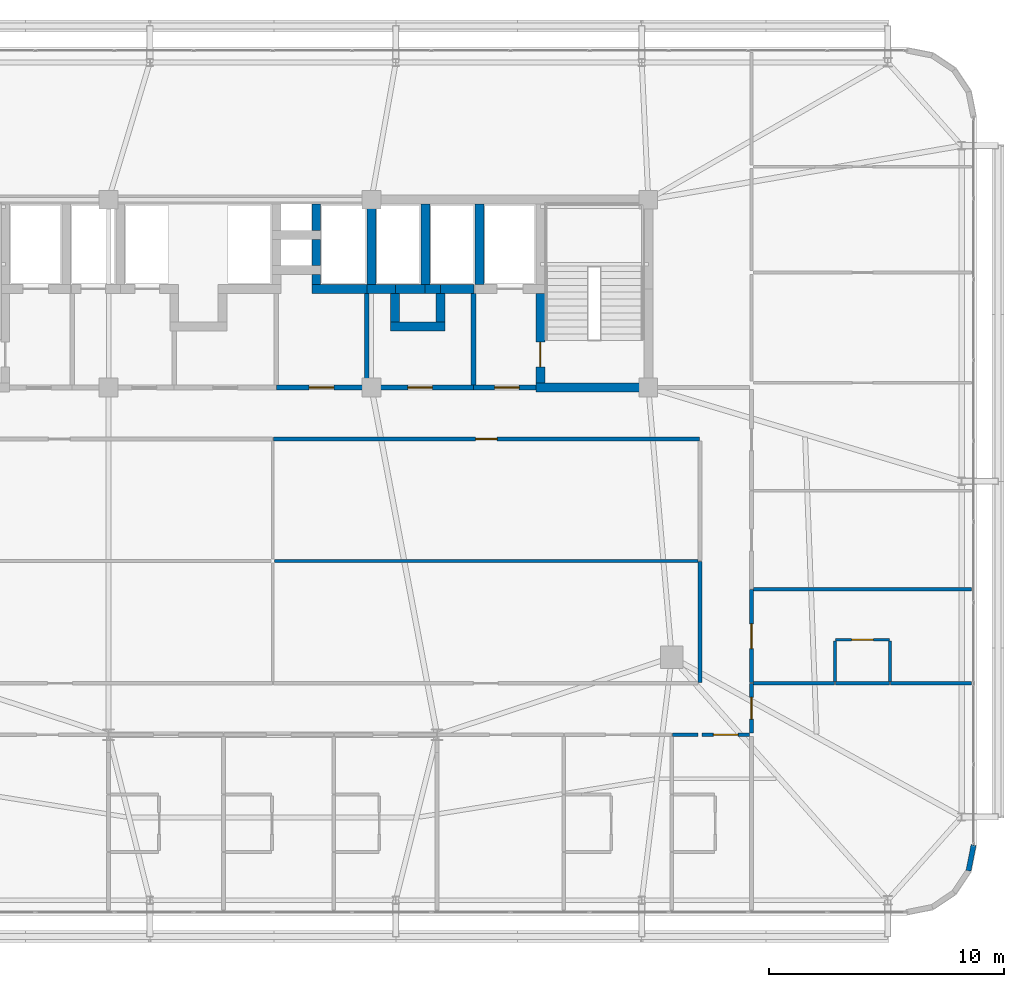
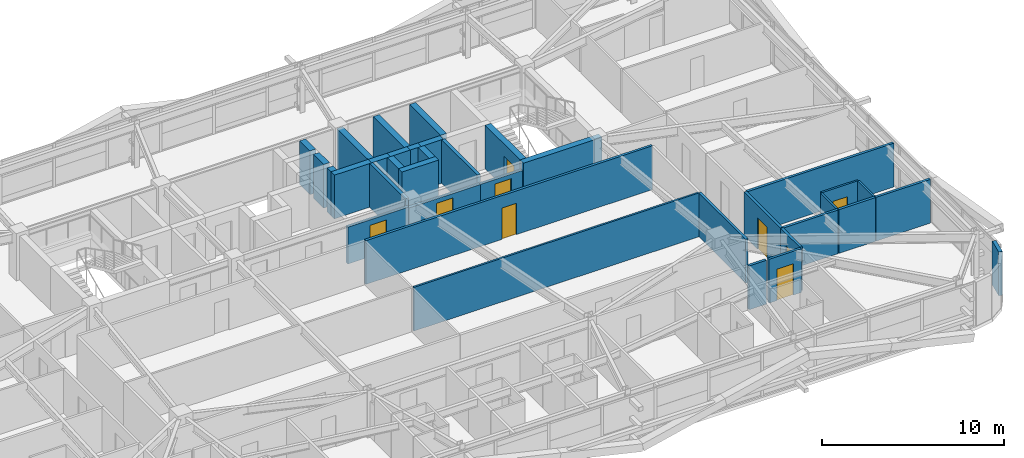
# One storey, part 55 of 59: 36 walls, 9 doors, 9 openings.
"""IFC4 building model written with IfcOpenShell, lengths in metres."""

from ifc_helpers import new_model, si_unit, direction, frame, frame_2d, origin, place, context, subcontext, project, spatial, rectangle, extrude, source, transform, mapped, material, layer, layer_set, type_object, element, fill, save


model = new_model("IFC4")

# Units and contexts
model_context = context("Model", 3, precision=1e-05, world=origin(), true_north=direction((0.0, 1.0)))
body_context = subcontext(model_context, "Body", "Model", "MODEL_VIEW")
ifc_project = project(units=[si_unit("LENGTHUNIT", "METRE"), si_unit("AREAUNIT", "SQUARE_METRE"), si_unit("VOLUMEUNIT", "CUBIC_METRE"), si_unit("PLANEANGLEUNIT", "RADIAN"), si_unit("MASSUNIT", "GRAM", prefix="KILO")], contexts=[model_context])

# Site, building, storey
site_placement = place(None, origin())
site = spatial("IfcSite", under=ifc_project, at=site_placement, CompositionType="ELEMENT")
building_placement = place(site_placement, origin())
building = spatial("IfcBuilding", under=site, at=building_placement, Name="Taldren Reach Tower", CompositionType="ELEMENT")
storey_placement = place(building_placement, frame((0.0, 0.0, 19.949951171875)))
storey = spatial("IfcBuildingStorey", under=building, at=storey_placement, Name="L05", CompositionType="ELEMENT", Elevation=19.949951171875)

# Walls
ifc_material_1 = material(Name="Pale Champagne Anodised Aluminium Cladding", Category="aluminium")
ifc_layer_1 = layer(ifc_material_1, 0.04, Name="Pale Champagne Anodised Aluminium Cladding", Category="aluminium")
ifc_material_2 = material(Name="Mineral Wool Acoustic Insulation", Category="insulation")
ifc_layer_2 = layer(ifc_material_2, 0.06, Name="Mineral Wool Acoustic Insulation", Category="insulation")
ifc_material_3 = material(Name="Steel Gr 350 (C350L0)", Category="steel")
ifc_layer_3 = layer(ifc_material_3, 0.12, Name="Steel Gr 350 (C350L0)", Category="steel")
ifc_layer_set_1 = layer_set([ifc_layer_1, ifc_layer_2, ifc_layer_3], Name="Pale Champagne Aluminium Cladding and Steel Gr 350 Stud Framing")
wall_type_1 = type_object("IfcWallType", Name="EW-CRN-220", PredefinedType="SOLIDWALL", material=ifc_layer_set_1)
shared_shape_1 = source(origin(), body_context, "Body", "SweptSolid", [
    extrude(rectangle(XDim=1.115966796875, YDim=0.219970703125, at=frame_2d((0.55810546875, 0.0))), origin(), (0.0, 0.0, 1.0), 2.929931640625),
])
wall_1_placement = place(storey_placement, frame((64.642333984375, 3.405517578125, 0.0), z_axis=(0.0, 0.0, 1.0), x_axis=(0.195148375659, 0.98077373103, 0.0)))
element("IfcWall", 1, at=wall_1_placement, inside=storey, type_object=wall_type_1, Name="Rounded-corner pale-metal facade wall L05-SE4", PredefinedType="SOLIDWALL", context=body_context, shape_type="MappedRepresentation", body=[
    mapped(shared_shape_1, transform((0.0, 0.0, 0.0), scale=1.0)),
])
ifc_material_4 = material(Name="Concrete S80 (80 MPa)", Category="concrete")
ifc_layer_4 = layer(ifc_material_4, 0.3798828125)
ifc_layer_set_2 = layer_set([ifc_layer_4], Name="Concrete S80 (80 MPa)")
wall_type_2 = type_object("IfcWallType", Name="IW-CORE-380", PredefinedType="SHEAR", material=ifc_layer_set_2)
shared_shape_2 = source(origin(), body_context, "Body", "SweptSolid", [
    extrude(rectangle(XDim=3.420166015625, YDim=0.3798828125, at=frame_2d((1.7099609375, 0.0))), origin(), (0.0, 0.0, 1.0), 2.929931640625),
])
for number, where, z_axis, x_axis, name in (
    (2, (43.800048828125, 31.81005859375, 0.0), (0.0, 0.0, 1.0), (0.0, -1.0, 0.0), "Rear Core Shear Wall W-INT-L05-012"),
    (3, (39.199951171875, 28.389892578125, 0.0), (0.0, 0.0, 1.0), (0.0, 1.0, 0.0), "Rear Core Shear Wall W-INT-L05-036"),
    (4, (41.5, 28.389892578125, 0.0), (0.0, 0.0, 1.0), (0.0, 1.0, 0.0), "Rear Core Shear Wall W-INT-L05-039"),
):
    element("IfcWall", number, at=place(storey_placement, frame(where, z_axis=z_axis, x_axis=x_axis)), inside=storey, type_object=wall_type_2, Name=name, PredefinedType="SHEAR", context=body_context, shape_type="MappedRepresentation", body=[
        mapped(shared_shape_2, transform((0.0, 0.0, 0.0), scale=1.0)),
    ])

# Wall, opening, door
shared_shape_3 = source(origin(), body_context, "Body", "SweptSolid", [
    extrude(rectangle(XDim=3.820068359375, YDim=0.3798828125, at=frame_2d((1.91015625, 0.0))), origin(), (0.0, 0.0, 1.0), 2.929931640625),
])
wall_2_placement = place(storey_placement, frame((46.39990234375, 28.010009765625, 0.0), z_axis=(0.0, 0.0, 1.0), x_axis=(0.0, -1.0, 0.0)))
wall_2 = element("IfcWall", 5, at=wall_2_placement, inside=storey, type_object=wall_type_2, Name="Rear Core Shear Wall W-INT-L05-009", PredefinedType="SHEAR", context=body_context, shape_type="MappedRepresentation", body=[
    mapped(shared_shape_3, transform((0.0, 0.0, 0.0), scale=1.0)),
])
shared_shape_4 = source(origin(), body_context, "Body", "SweptSolid", [
    extrude(rectangle(XDim=1.050048828125, YDim=2.10009765625, at=frame_2d((0.52490234375, 1.050048828125))), frame((0.0, 0.199951171875, 0.0), z_axis=(0.0, -1.0, 0.0), x_axis=(1.0, 0.0, 0.0)), (0.0, 0.0, 1.0), 0.39990234375),
])
opening_1_placement = place(wall_2_placement, frame((2.0849609375, 0.0, 0.0)))
opening_1 = element("IfcOpeningElement", 6, at=opening_1_placement, cuts=wall_2, Name="Opening DF-105", PredefinedType="OPENING", context=body_context, shape_type="MappedRepresentation", body=[
    mapped(shared_shape_4, transform((0.0, 0.0, 0.0), scale=1.0)),
])
ifc_material_5 = material(Name="Fire-Rated Care and Stair Exit Door")
door_type_1 = type_object("IfcDoorType", Name="ID-FIRE-105", OperationType="NOTDEFINED", PredefinedType="DOOR", material=ifc_material_5)
shared_shape_5 = source(origin(), body_context, "Body", "SweptSolid", [
    extrude(rectangle(XDim=1.050048828125, YDim=2.10009765625, at=frame_2d((0.52490234375, 1.050048828125))), frame((0.0, 0.02490234375, 0.0), z_axis=(0.0, -1.0, 0.0), x_axis=(1.0, 0.0, 0.0)), (0.0, 0.0, 1.0), 0.050048828125),
])
door_1_placement = place(opening_1_placement, origin())
door_1 = element("IfcDoor", 7, at=door_1_placement, inside=storey, type_object=door_type_1, Name="Fire Exit Stair Door DR-L05-003", OperationType="SINGLE_SWING_RIGHT", OverallHeight=2.10009765625, OverallWidth=1.050048828125, PredefinedType="DOOR", context=body_context, shape_type="MappedRepresentation", body=[
    mapped(shared_shape_5, transform((0.0, 0.0, 0.0), scale=1.0)),
])
fill(opening_1, door_1)

# Walls
shared_shape_6 = source(origin(), body_context, "Body", "SweptSolid", [
    extrude(rectangle(XDim=4.97998046875, YDim=0.3798828125, at=frame_2d((2.489990234375, 0.0))), origin(), (0.0, 0.0, 1.0), 2.929931640625),
])
wall_3_placement = place(storey_placement, frame((46.2099609375, 24.0, 0.0), z_axis=(0.0, 0.0, 1.0), x_axis=(1.0, 0.0, 0.0)))
element("IfcWall", 8, at=wall_3_placement, inside=storey, type_object=wall_type_2, Name="Rear Core Shear Wall W-INT-L05-010", PredefinedType="SHEAR", context=body_context, shape_type="MappedRepresentation", body=[
    mapped(shared_shape_6, transform((0.0, 0.0, 0.0), scale=1.0)),
])
ifc_material_6 = material(Name="Concrete S50 (50 MPa)", Category="concrete")
ifc_layer_5 = layer(ifc_material_6, 0.199951171875)
ifc_layer_set_3 = layer_set([ifc_layer_5], Name="Concrete S50 (50 MPa)")
wall_type_3 = type_object("IfcWallType", Name="IW-CORE-200", PredefinedType="SOLIDWALL", material=ifc_layer_set_3)
shared_shape_7 = source(origin(), body_context, "Body", "SweptSolid", [
    extrude(rectangle(XDim=3.909912109375, YDim=0.199951171875, at=frame_2d((1.955078125, 0.0))), origin(), (0.0, 0.0, 1.0), 2.929931640625),
])
for number, where, z_axis, x_axis, name in (
    (9, (43.550048828125, 28.010009765625, 0.0), (0.0, 0.0, 1.0), (0.0, -1.0, 0.0), "Rear Core Shear Wall W-INT-L05-013"),
    (10, (39.0, 28.010009765625, 0.0), (0.0, 0.0, 1.0), (0.0, -1.0, 0.0), "Rear Core Shear Wall W-INT-L05-044"),
):
    element("IfcWall", number, at=place(storey_placement, frame(where, z_axis=z_axis, x_axis=x_axis)), inside=storey, type_object=wall_type_3, Name=name, PredefinedType="SOLIDWALL", context=body_context, shape_type="MappedRepresentation", body=[
        mapped(shared_shape_7, transform((0.0, 0.0, 0.0), scale=1.0)),
    ])

# Wall, opening, door
shared_shape_8 = source(origin(), body_context, "Body", "SweptSolid", [
    extrude(rectangle(XDim=2.659912109375, YDim=0.199951171875, at=frame_2d((1.330078125, 0.0))), origin(), (0.0, 0.0, 1.0), 2.39697265625),
])
wall_4_placement = place(storey_placement, frame((43.550048828125, 24.0, 0.0), z_axis=(0.0, 0.0, 1.0), x_axis=(1.0, 0.0, 0.0)))
wall_4 = element("IfcWall", 11, at=wall_4_placement, inside=storey, type_object=wall_type_3, Name="Rear Core Shear Wall W-INT-L05-014", PredefinedType="SOLIDWALL", context=body_context, shape_type="MappedRepresentation", body=[
    mapped(shared_shape_8, transform((0.0, 0.0, 0.0), scale=1.0)),
])
shared_shape_9 = source(origin(), body_context, "Body", "SweptSolid", [
    extrude(rectangle(XDim=1.050048828125, YDim=2.10009765625, at=frame_2d((0.52490234375, 1.050048828125))), frame((0.0, 0.10986328125, 0.0), z_axis=(0.0, -1.0, 0.0), x_axis=(1.0, 0.0, 0.0)), (0.0, 0.0, 1.0), 0.219970703125),
])
opening_2_placement = place(wall_4_placement, frame((0.89990234375, 0.0, 0.0)))
opening_2 = element("IfcOpeningElement", 12, at=opening_2_placement, cuts=wall_4, Name="Opening DF-105", PredefinedType="OPENING", context=body_context, shape_type="MappedRepresentation", body=[
    mapped(shared_shape_9, transform((0.0, 0.0, 0.0), scale=1.0)),
])
door_2_placement = place(opening_2_placement, origin())
door_2 = element("IfcDoor", 13, at=door_2_placement, inside=storey, type_object=door_type_1, Name="Interior Door DR-L05-004", OperationType="SINGLE_SWING_LEFT", OverallHeight=2.10009765625, OverallWidth=1.050048828125, PredefinedType="DOOR", context=body_context, shape_type="MappedRepresentation", body=[
    mapped(shared_shape_5, transform((0.0, 0.0, 0.0), scale=1.0)),
])
fill(opening_2, door_2)

# Walls
shared_shape_10 = source(origin(), body_context, "Body", "SweptSolid", [
    extrude(rectangle(XDim=1.1201171875, YDim=0.3798828125, at=frame_2d((0.56005859375, 0.0))), origin(), (0.0, 0.0, 1.0), 2.929931640625),
])
for number, where, z_axis, x_axis, name in (
    (14, (36.85009765625, 30.68994140625, 0.0), (0.0, 0.0, 1.0), (0.0, 1.0, 0.0), "Rear Core Shear Wall W-INT-L05-017"),
    (15, (36.85009765625, 29.18994140625, 0.0), (0.0, 0.0, 1.0), (0.0, 1.0, 0.0), "Rear Core Shear Wall W-INT-L05-019"),
):
    element("IfcWall", number, at=place(storey_placement, frame(where, z_axis=z_axis, x_axis=x_axis)), inside=storey, type_object=wall_type_2, Name=name, PredefinedType="SHEAR", context=body_context, shape_type="MappedRepresentation", body=[
        mapped(shared_shape_10, transform((0.0, 0.0, 0.0), scale=1.0)),
    ])
shared_shape_11 = source(origin(), body_context, "Body", "SweptSolid", [
    extrude(rectangle(XDim=1.219970703125, YDim=0.3798828125, at=frame_2d((0.60986328125, 0.0))), origin(), (0.0, 0.0, 1.0), 2.929931640625),
])
for number, where, z_axis, x_axis, name in (
    (16, (40.199951171875, 28.010009765625, 0.0), (0.0, 0.0, 1.0), (0.0, -1.0, 0.0), "Rear Core Shear Wall W-INT-L05-027"),
    (17, (42.14990234375, 26.7900390625, 0.0), (0.0, 0.0, 1.0), (0.0, 1.0, 0.0), "Rear Core Shear Wall W-INT-L05-028"),
):
    element("IfcWall", number, at=place(storey_placement, frame(where, z_axis=z_axis, x_axis=x_axis)), inside=storey, type_object=wall_type_2, Name=name, PredefinedType="SHEAR", context=body_context, shape_type="MappedRepresentation", body=[
        mapped(shared_shape_11, transform((0.0, 0.0, 0.0), scale=1.0)),
    ])
shared_shape_12 = source(origin(), body_context, "Body", "SweptSolid", [
    extrude(rectangle(XDim=1.320068359375, YDim=0.3798828125, at=frame_2d((0.66015625, 0.0))), origin(), (0.0, 0.0, 1.0), 2.929931640625),
])
wall_5_placement = place(storey_placement, frame((41.52001953125, 28.199951171875, 0.0), z_axis=(0.0, 0.0, 1.0), x_axis=(-1.0, 0.0, 0.0)))
element("IfcWall", 18, at=wall_5_placement, inside=storey, type_object=wall_type_2, Name="Rear Core Shear Wall W-INT-L05-024", PredefinedType="SHEAR", context=body_context, shape_type="MappedRepresentation", body=[
    mapped(shared_shape_12, transform((0.0, 0.0, 0.0), scale=1.0)),
])
shared_shape_13 = source(origin(), body_context, "Body", "SweptSolid", [
    extrude(rectangle(XDim=0.669921875, YDim=0.3798828125, at=frame_2d((0.3349609375, 0.0))), origin(), (0.0, 0.0, 1.0), 2.929931640625),
])
wall_6_placement = place(storey_placement, frame((42.14990234375, 28.199951171875, 0.0), z_axis=(0.0, 0.0, 1.0), x_axis=(-1.0, 0.0, 0.0)))
element("IfcWall", 19, at=wall_6_placement, inside=storey, type_object=wall_type_2, Name="Rear Core Shear Wall W-INT-L05-025", PredefinedType="SHEAR", context=body_context, shape_type="MappedRepresentation", body=[
    mapped(shared_shape_13, transform((0.0, 0.0, 0.0), scale=1.0)),
])
shared_shape_14 = source(origin(), body_context, "Body", "SweptSolid", [
    extrude(rectangle(XDim=2.330078125, YDim=0.3798828125, at=frame_2d((1.1650390625, 0.0))), origin(), (0.0, 0.0, 1.0), 2.929931640625),
])
wall_7_placement = place(storey_placement, frame((40.010009765625, 26.60009765625, 0.0), z_axis=(0.0, 0.0, 1.0), x_axis=(1.0, 0.0, 0.0)))
element("IfcWall", 20, at=wall_7_placement, inside=storey, type_object=wall_type_2, Name="Rear Core Shear Wall W-INT-L05-026", PredefinedType="SHEAR", context=body_context, shape_type="MappedRepresentation", body=[
    mapped(shared_shape_14, transform((0.0, 0.0, 0.0), scale=1.0)),
])
shared_shape_15 = source(origin(), body_context, "Body", "SweptSolid", [
    extrude(rectangle(XDim=0.420166015625, YDim=0.3798828125, at=frame_2d((0.2099609375, 0.0))), origin(), (0.0, 0.0, 1.0), 2.929931640625),
])
wall_8_placement = place(storey_placement, frame((36.85009765625, 28.81005859375, 0.0), z_axis=(0.0, 0.0, 1.0), x_axis=(0.0, -1.0, 0.0)))
element("IfcWall", 21, at=wall_8_placement, inside=storey, type_object=wall_type_2, Name="Rear Core Shear Wall W-INT-L05-038", PredefinedType="SHEAR", context=body_context, shape_type="MappedRepresentation", body=[
    mapped(shared_shape_15, transform((0.0, 0.0, 0.0), scale=1.0)),
])
shared_shape_16 = source(origin(), body_context, "Body", "SweptSolid", [
    extrude(rectangle(XDim=1.440185546875, YDim=0.3798828125, at=frame_2d((0.72021484375, 0.0))), origin(), (0.0, 0.0, 1.0), 2.929931640625),
])
wall_9_placement = place(storey_placement, frame((42.1298828125, 28.199951171875, 0.0), z_axis=(0.0, 0.0, 1.0), x_axis=(1.0, 0.0, 0.0)))
element("IfcWall", 22, at=wall_9_placement, inside=storey, type_object=wall_type_2, Name="Rear Core Shear Wall W-INT-L05-041", PredefinedType="SHEAR", context=body_context, shape_type="MappedRepresentation", body=[
    mapped(shared_shape_16, transform((0.0, 0.0, 0.0), scale=1.0)),
])

# Wall, opening, door
ifc_material_7 = material(Name="Fire-Rated Acoustic Plasterboard Stud Wall", Category="gypsum")
ifc_layer_6 = layer(ifc_material_7, 0.159912109375)
ifc_layer_set_4 = layer_set([ifc_layer_6], Name="Fire-Rated Acoustic Plasterboard Stud Wall")
wall_type_4 = type_object("IfcWallType", Name="IW-FIRE-160", PredefinedType="PARTITIONING", material=ifc_layer_set_4)
shared_shape_17 = source(origin(), body_context, "Body", "SweptSolid", [
    extrude(rectangle(XDim=2.0400390625, YDim=0.159912109375, at=frame_2d((1.02001953125, 0.0))), origin(), (0.0, 0.0, 1.0), 2.929931640625),
])
wall_10_placement = place(storey_placement, frame((55.320068359375, 9.199951171875, 0.0), z_axis=(0.0, 0.0, 1.0), x_axis=(-1.0, 0.0, 0.0)))
wall_10 = element("IfcWall", 23, at=wall_10_placement, inside=storey, type_object=wall_type_4, Name="Interior Partition Wall W-INT-L05-054", PredefinedType="PARTITIONING", context=body_context, shape_type="MappedRepresentation", body=[
    mapped(shared_shape_17, transform((0.0, 0.0, 0.0), scale=1.0)),
])
shared_shape_18 = source(origin(), body_context, "Body", "SweptSolid", [
    extrude(rectangle(XDim=1.050048828125, YDim=2.10009765625, at=frame_2d((0.52490234375, 1.050048828125))), frame((0.0, 0.08984375, 0.0), z_axis=(0.0, -1.0, 0.0), x_axis=(1.0, 0.0, 0.0)), (0.0, 0.0, 1.0), 0.179931640625),
])
opening_3_placement = place(wall_10_placement, frame((0.4951171875, 0.0, 0.0)))
opening_3 = element("IfcOpeningElement", 24, at=opening_3_placement, cuts=wall_10, Name="Opening DF-105", PredefinedType="OPENING", context=body_context, shape_type="MappedRepresentation", body=[
    mapped(shared_shape_18, transform((0.0, 0.0, 0.0), scale=1.0)),
])
door_3_placement = place(opening_3_placement, origin())
door_3 = element("IfcDoor", 25, at=door_3_placement, inside=storey, type_object=door_type_1, Name="Interior Door DR-L05-012", OperationType="SINGLE_SWING_LEFT", OverallHeight=2.10009765625, OverallWidth=1.050048828125, PredefinedType="DOOR", context=body_context, shape_type="MappedRepresentation", body=[
    mapped(shared_shape_5, transform((0.0, 0.0, 0.0), scale=1.0)),
])
fill(opening_3, door_3)

# Walls
shared_shape_19 = source(origin(), body_context, "Body", "SweptSolid", [
    extrude(rectangle(XDim=2.360107421875, YDim=0.3798828125, at=frame_2d((1.18017578125, 0.0))), origin(), (0.0, 0.0, 1.0), 2.929931640625),
])
wall_11_placement = place(storey_placement, frame((36.659912109375, 28.199951171875, 0.0), z_axis=(0.0, 0.0, 1.0), x_axis=(1.0, 0.0, 0.0)))
element("IfcWall", 26, at=wall_11_placement, inside=storey, type_object=wall_type_2, Name="Rear Core Shear Wall W-INT-L05-037", PredefinedType="SHEAR", context=body_context, shape_type="MappedRepresentation", body=[
    mapped(shared_shape_19, transform((0.0, 0.0, 0.0), scale=1.0)),
])
shared_shape_20 = source(origin(), body_context, "Body", "SweptSolid", [
    extrude(rectangle(XDim=1.2099609375, YDim=0.3798828125, at=frame_2d((0.60498046875, 0.0))), origin(), (0.0, 0.0, 1.0), 2.929931640625),
])
wall_12_placement = place(storey_placement, frame((39.010009765625, 28.199951171875, 0.0), z_axis=(0.0, 0.0, 1.0), x_axis=(1.0, 0.0, 0.0)))
element("IfcWall", 27, at=wall_12_placement, inside=storey, type_object=wall_type_2, Name="Rear Core Shear Wall W-INT-L05-040", PredefinedType="SHEAR", context=body_context, shape_type="MappedRepresentation", body=[
    mapped(shared_shape_20, transform((0.0, 0.0, 0.0), scale=1.0)),
])

# Wall, opening, door
shared_shape_21 = source(origin(), body_context, "Body", "SweptSolid", [
    extrude(rectangle(XDim=3.85009765625, YDim=0.199951171875, at=frame_2d((1.925048828125, 0.0))), origin(), (0.0, 0.0, 1.0), 2.469970703125),
])
wall_13_placement = place(storey_placement, frame((39.0, 24.0, 0.0), z_axis=(0.0, 0.0, 1.0), x_axis=(-1.0, 0.0, 0.0)))
wall_13 = element("IfcWall", 28, at=wall_13_placement, inside=storey, type_object=wall_type_3, Name="Rear Core Shear Wall W-INT-L05-045", PredefinedType="SOLIDWALL", context=body_context, shape_type="MappedRepresentation", body=[
    mapped(shared_shape_21, transform((0.0, 0.0, 0.0), scale=1.0)),
])
opening_4_placement = place(wall_13_placement, frame((1.39990234375, 0.0, 0.0)))
opening_4 = element("IfcOpeningElement", 29, at=opening_4_placement, cuts=wall_13, Name="Opening DF-105", PredefinedType="OPENING", context=body_context, shape_type="MappedRepresentation", body=[
    mapped(shared_shape_9, transform((0.0, 0.0, 0.0), scale=1.0)),
])
door_4_placement = place(opening_4_placement, frame((1.050048828125, 0.0, 0.0), z_axis=(0.0, 0.0, 1.0), x_axis=(-1.0, 0.0, 0.0)))
door_4 = element("IfcDoor", 30, at=door_4_placement, inside=storey, type_object=door_type_1, Name="Interior Door DR-L05-007", OperationType="SINGLE_SWING_LEFT", OverallHeight=2.10009765625, OverallWidth=1.050048828125, PredefinedType="DOOR", context=body_context, shape_type="MappedRepresentation", body=[
    mapped(shared_shape_5, transform((0.0, 0.0, 0.0), scale=1.0)),
])
fill(opening_4, door_4)

shared_shape_22 = source(origin(), body_context, "Body", "SweptSolid", [
    extrude(rectangle(XDim=4.550048828125, YDim=0.199951171875, at=frame_2d((2.27490234375, 0.0))), origin(), (0.0, 0.0, 1.0), 2.39697265625),
])
wall_14_placement = place(storey_placement, frame((43.550048828125, 24.0, 0.0), z_axis=(0.0, 0.0, 1.0), x_axis=(-1.0, 0.0, 0.0)))
wall_14 = element("IfcWall", 31, at=wall_14_placement, inside=storey, type_object=wall_type_3, Name="Rear Core Shear Wall W-INT-L05-046", PredefinedType="SOLIDWALL", context=body_context, shape_type="MappedRepresentation", body=[
    mapped(shared_shape_22, transform((0.0, 0.0, 0.0), scale=1.0)),
])
opening_5_placement = place(wall_14_placement, frame((1.75, 0.0, 0.0)))
opening_5 = element("IfcOpeningElement", 32, at=opening_5_placement, cuts=wall_14, Name="Opening DF-105", PredefinedType="OPENING", context=body_context, shape_type="MappedRepresentation", body=[
    mapped(shared_shape_9, transform((0.0, 0.0, 0.0), scale=1.0)),
])
door_5_placement = place(opening_5_placement, frame((1.050048828125, 0.0, 0.0), z_axis=(0.0, 0.0, 1.0), x_axis=(-1.0, 0.0, 0.0)))
door_5 = element("IfcDoor", 33, at=door_5_placement, inside=storey, type_object=door_type_1, Name="Interior Door DR-L05-008", OperationType="SINGLE_SWING_RIGHT", OverallHeight=2.10009765625, OverallWidth=1.050048828125, PredefinedType="DOOR", context=body_context, shape_type="MappedRepresentation", body=[
    mapped(shared_shape_5, transform((0.0, 0.0, 0.0), scale=1.0)),
])
fill(opening_5, door_5)

# Wall
shared_shape_23 = source(origin(), body_context, "Body", "SweptSolid", [
    extrude(rectangle(XDim=5.15966796875, YDim=0.159912109375, at=frame_2d((2.579833984375, 0.0))), origin(), (0.0, 0.0, 1.0), 2.929931640625),
])
wall_15_placement = place(storey_placement, frame((53.199951171875, 11.420166015625, 0.0), z_axis=(0.0, 0.0, 1.0), x_axis=(0.0, 1.0, 0.0)))
element("IfcWall", 34, at=wall_15_placement, inside=storey, type_object=wall_type_4, Name="Interior Partition Wall W-INT-L05-050", PredefinedType="PARTITIONING", context=body_context, shape_type="MappedRepresentation", body=[
    mapped(shared_shape_23, transform((0.0, 0.0, 0.0), scale=1.0)),
])

# Wall, opening, door
shared_shape_24 = source(origin(), body_context, "Body", "SweptSolid", [
    extrude(rectangle(XDim=18.159423828125, YDim=0.159912109375, at=frame_2d((9.07958984375, 0.0))), origin(), (0.0, 0.0, 1.0), 2.929931640625),
])
wall_16_placement = place(storey_placement, frame((53.1796875, 21.800048828125, 0.0), z_axis=(0.0, 0.0, 1.0), x_axis=(-1.0, 0.0, 0.0)))
wall_16 = element("IfcWall", 35, at=wall_16_placement, inside=storey, type_object=wall_type_4, Name="Interior Partition Wall W-INT-L05-051", PredefinedType="PARTITIONING", context=body_context, shape_type="MappedRepresentation", body=[
    mapped(shared_shape_24, transform((0.0, 0.0, 0.0), scale=1.0)),
])
shared_shape_25 = source(origin(), body_context, "Body", "SweptSolid", [
    extrude(rectangle(XDim=0.919921875, YDim=2.10009765625, at=frame_2d((0.4599609375, 1.050048828125))), frame((0.0, 0.08984375, 0.0), z_axis=(0.0, -1.0, 0.0), x_axis=(1.0, 0.0, 0.0)), (0.0, 0.0, 1.0), 0.179931640625),
])
opening_6_placement = place(wall_16_placement, frame((8.619873046875, 0.0, 0.0)))
opening_6 = element("IfcOpeningElement", 36, at=opening_6_placement, cuts=wall_16, Name="Opening DI-092", PredefinedType="OPENING", context=body_context, shape_type="MappedRepresentation", body=[
    mapped(shared_shape_25, transform((0.0, 0.0, 0.0), scale=1.0)),
])
ifc_material_8 = material(Name="Solid-Core Timber Suite Door", Category="wood")
door_type_2 = type_object("IfcDoorType", Name="ID-INT-092", OperationType="NOTDEFINED", PredefinedType="DOOR", material=ifc_material_8)
shared_shape_26 = source(origin(), body_context, "Body", "SweptSolid", [
    extrude(rectangle(XDim=0.919921875, YDim=2.10009765625, at=frame_2d((0.4599609375, 1.050048828125))), frame((0.0, 0.02490234375, 0.0), z_axis=(0.0, -1.0, 0.0), x_axis=(1.0, 0.0, 0.0)), (0.0, 0.0, 1.0), 0.050048828125),
])
door_6_placement = place(opening_6_placement, origin())
door_6 = element("IfcDoor", 37, at=door_6_placement, inside=storey, type_object=door_type_2, Name="Interior Door DR-L05-010", OperationType="SINGLE_SWING_LEFT", OverallHeight=2.10009765625, OverallWidth=0.919921875, PredefinedType="DOOR", context=body_context, shape_type="MappedRepresentation", body=[
    mapped(shared_shape_26, transform((0.0, 0.0, 0.0), scale=1.0)),
])
fill(opening_6, door_6)

shared_shape_27 = source(origin(), body_context, "Body", "SweptSolid", [
    extrude(rectangle(XDim=2.099853515625, YDim=0.159912109375, at=frame_2d((1.0498046875, 0.0))), origin(), (0.0, 0.0, 1.0), 2.929931640625),
])
wall_17_placement = place(storey_placement, frame((55.39990234375, 11.3798828125, 0.0), z_axis=(0.0, 0.0, 1.0), x_axis=(0.0, -1.0, 0.0)))
wall_17 = element("IfcWall", 38, at=wall_17_placement, inside=storey, type_object=wall_type_4, Name="Interior Partition Wall W-INT-L05-059", PredefinedType="PARTITIONING", context=body_context, shape_type="MappedRepresentation", body=[
    mapped(shared_shape_27, transform((0.0, 0.0, 0.0), scale=1.0)),
])
opening_7_placement = place(wall_17_placement, frame((0.58984375, 0.0, 0.0)))
opening_7 = element("IfcOpeningElement", 39, at=opening_7_placement, cuts=wall_17, Name="Opening DI-092", PredefinedType="OPENING", context=body_context, shape_type="MappedRepresentation", body=[
    mapped(shared_shape_25, transform((0.0, 0.0, 0.0), scale=1.0)),
])
door_7_placement = place(opening_7_placement, origin())
door_7 = element("IfcDoor", 40, at=door_7_placement, inside=storey, type_object=door_type_2, Name="Interior Door DR-L05-017", OperationType="SINGLE_SWING_RIGHT", OverallHeight=2.10009765625, OverallWidth=0.919921875, PredefinedType="DOOR", context=body_context, shape_type="MappedRepresentation", body=[
    mapped(shared_shape_26, transform((0.0, 0.0, 0.0), scale=1.0)),
])
fill(opening_7, door_7)

shared_shape_28 = source(origin(), body_context, "Body", "SweptSolid", [
    extrude(rectangle(XDim=3.959228515625, YDim=0.159912109375, at=frame_2d((1.9794921875, 0.0))), origin(), (0.0, 0.0, 1.0), 2.929931640625),
])
wall_18_placement = place(storey_placement, frame((55.39990234375, 15.379638671875, 0.0), z_axis=(0.0, 0.0, 1.0), x_axis=(0.0, -1.0, 0.0)))
wall_18 = element("IfcWall", 41, at=wall_18_placement, inside=storey, type_object=wall_type_4, Name="Interior Partition Wall W-INT-L05-060", PredefinedType="PARTITIONING", context=body_context, shape_type="MappedRepresentation", body=[
    mapped(shared_shape_28, transform((0.0, 0.0, 0.0), scale=1.0)),
])
opening_8_placement = place(wall_18_placement, frame((1.45458984375, 0.0, 0.0)))
opening_8 = element("IfcOpeningElement", 42, at=opening_8_placement, cuts=wall_18, Name="Opening DF-105", PredefinedType="OPENING", context=body_context, shape_type="MappedRepresentation", body=[
    mapped(shared_shape_18, transform((0.0, 0.0, 0.0), scale=1.0)),
])
door_8_placement = place(opening_8_placement, origin())
door_8 = element("IfcDoor", 43, at=door_8_placement, inside=storey, type_object=door_type_1, Name="Interior Door DR-L05-018", OperationType="SINGLE_SWING_LEFT", OverallHeight=2.10009765625, OverallWidth=1.050048828125, PredefinedType="DOOR", context=body_context, shape_type="MappedRepresentation", body=[
    mapped(shared_shape_5, transform((0.0, 0.0, 0.0), scale=1.0)),
])
fill(opening_8, door_8)

# Walls
shared_shape_29 = source(origin(), body_context, "Body", "SweptSolid", [
    extrude(rectangle(XDim=1.099853515625, YDim=0.159912109375, at=frame_2d((0.5498046875, 0.0))), origin(), (0.0, 0.0, 1.0), 2.929931640625),
])
wall_19_placement = place(storey_placement, frame((53.1201171875, 9.199951171875, 0.0), z_axis=(0.0, 0.0, 1.0), x_axis=(-1.0, 0.0, 0.0)))
element("IfcWall", 44, at=wall_19_placement, inside=storey, type_object=wall_type_4, Name="Interior Partition Wall W-INT-L05-075", PredefinedType="PARTITIONING", context=body_context, shape_type="MappedRepresentation", body=[
    mapped(shared_shape_29, transform((0.0, 0.0, 0.0), scale=1.0)),
])
ifc_material_9 = material(Name="Insulated Residential Stud Partition", Category="gypsum")
ifc_layer_7 = layer(ifc_material_9, 0.1201171875)
ifc_layer_set_5 = layer_set([ifc_layer_7], Name="Insulated Residential Stud Partition")
wall_type_5 = type_object("IfcWallType", Name="IW-PART-120", PredefinedType="PARTITIONING", material=ifc_layer_set_5)
shared_shape_30 = source(origin(), body_context, "Body", "SweptSolid", [
    extrude(rectangle(XDim=18.0400390625, YDim=0.1201171875, at=frame_2d((9.02001953125, 0.0))), origin(), (0.0, 0.0, 1.0), 2.929931640625),
])
wall_20_placement = place(storey_placement, frame((35.080078125, 16.60009765625, 0.0), z_axis=(0.0, 0.0, 1.0), x_axis=(1.0, 0.0, 0.0)))
element("IfcWall", 45, at=wall_20_placement, inside=storey, type_object=wall_type_5, Name="Interior Partition Wall W-INT-L05-079", PredefinedType="PARTITIONING", context=body_context, shape_type="MappedRepresentation", body=[
    mapped(shared_shape_30, transform((0.0, 0.0, 0.0), scale=1.0)),
])
shared_shape_31 = source(origin(), body_context, "Body", "SweptSolid", [
    extrude(rectangle(XDim=3.44970703125, YDim=0.159912109375, at=frame_2d((1.724853515625, 0.0))), origin(), (0.0, 0.0, 1.0), 2.929931640625),
])
for number, where, z_axis, x_axis, name in (
    (46, (55.47998046875, 11.39990234375, 0.0), (0.0, 0.0, 1.0), (1.0, 0.0, 0.0), "Interior Partition Wall W-INT-L05-139"),
    (47, (61.3203125, 11.39990234375, 0.0), (0.0, 0.0, 1.0), (1.0, 0.0, 0.0), "Interior Partition Wall W-INT-L05-140"),
):
    element("IfcWall", number, at=place(storey_placement, frame(where, z_axis=z_axis, x_axis=x_axis)), inside=storey, type_object=wall_type_4, Name=name, PredefinedType="PARTITIONING", context=body_context, shape_type="MappedRepresentation", body=[
        mapped(shared_shape_31, transform((0.0, 0.0, 0.0), scale=1.0)),
    ])
shared_shape_32 = source(origin(), body_context, "Body", "SweptSolid", [
    extrude(rectangle(XDim=2.3095703125, YDim=0.159912109375, at=frame_2d((1.15478515625, 0.0))), origin(), (0.0, 0.0, 1.0), 2.929931640625),
])
wall_21_placement = place(storey_placement, frame((58.97021484375, 11.39990234375, 0.0), z_axis=(0.0, 0.0, 1.0), x_axis=(1.0, 0.0, 0.0)))
element("IfcWall", 48, at=wall_21_placement, inside=storey, type_object=wall_type_4, Name="Interior Partition Wall W-INT-L05-141", PredefinedType="PARTITIONING", context=body_context, shape_type="MappedRepresentation", body=[
    mapped(shared_shape_32, transform((0.0, 0.0, 0.0), scale=1.0)),
])

# Wall, opening, door
shared_shape_33 = source(origin(), body_context, "Body", "SweptSolid", [
    extrude(rectangle(XDim=2.3095703125, YDim=0.1201171875, at=frame_2d((1.15478515625, 0.0))), origin(), (0.0, 0.0, 1.0), 2.929931640625),
])
wall_22_placement = place(storey_placement, frame((61.27978515625, 13.25, 0.0), z_axis=(0.0, 0.0, 1.0), x_axis=(-1.0, 0.0, 0.0)))
wall_22 = element("IfcWall", 49, at=wall_22_placement, inside=storey, type_object=wall_type_5, Name="Interior Partition Wall W-INT-L05-142", PredefinedType="PARTITIONING", context=body_context, shape_type="MappedRepresentation", body=[
    mapped(shared_shape_33, transform((0.0, 0.0, 0.0), scale=1.0)),
])
shared_shape_34 = source(origin(), body_context, "Body", "SweptSolid", [
    extrude(rectangle(XDim=0.919921875, YDim=2.10009765625, at=frame_2d((0.4599609375, 1.050048828125))), frame((0.0, 0.070068359375, 0.0), z_axis=(0.0, -1.0, 0.0), x_axis=(1.0, 0.0, 0.0)), (0.0, 0.0, 1.0), 0.14013671875),
])
opening_9_placement = place(wall_22_placement, frame((0.69482421875, 0.0, 0.0)))
opening_9 = element("IfcOpeningElement", 50, at=opening_9_placement, cuts=wall_22, Name="Opening DI-092", PredefinedType="OPENING", context=body_context, shape_type="MappedRepresentation", body=[
    mapped(shared_shape_34, transform((0.0, 0.0, 0.0), scale=1.0)),
])
door_9_placement = place(opening_9_placement, origin())
door_9 = element("IfcDoor", 51, at=door_9_placement, inside=storey, type_object=door_type_2, Name="Interior Door DR-L05-039", OperationType="SINGLE_SWING_RIGHT", OverallHeight=2.10009765625, OverallWidth=0.919921875, PredefinedType="DOOR", context=body_context, shape_type="MappedRepresentation", body=[
    mapped(shared_shape_26, transform((0.0, 0.0, 0.0), scale=1.0)),
])
fill(opening_9, door_9)

# Walls
shared_shape_35 = source(origin(), body_context, "Body", "SweptSolid", [
    extrude(rectangle(XDim=1.7099609375, YDim=0.1201171875, at=frame_2d((0.85498046875, 0.0))), origin(), (0.0, 0.0, 1.0), 2.929931640625),
])
for number, where, z_axis, x_axis, name in (
    (52, (58.949951171875, 13.18994140625, 0.0), (0.0, 0.0, 1.0), (0.0, -1.0, 0.0), "Interior Partition Wall W-INT-L05-143"),
    (53, (61.300048828125, 11.47998046875, 0.0), (0.0, 0.0, 1.0), (0.0, 1.0, 0.0), "Interior Partition Wall W-INT-L05-144"),
):
    element("IfcWall", number, at=place(storey_placement, frame(where, z_axis=z_axis, x_axis=x_axis)), inside=storey, type_object=wall_type_5, Name=name, PredefinedType="PARTITIONING", context=body_context, shape_type="MappedRepresentation", body=[
        mapped(shared_shape_35, transform((0.0, 0.0, 0.0), scale=1.0)),
    ])
shared_shape_36 = source(origin(), body_context, "Body", "SweptSolid", [
    extrude(rectangle(XDim=9.2861328125, YDim=0.159912109375, at=frame_2d((4.64306640625, 0.0))), origin(), (0.0, 0.0, 1.0), 2.929931640625),
])
wall_23_placement = place(storey_placement, frame((55.48193359375, 15.39990234375, 0.0), z_axis=(0.0, 0.0, 1.0), x_axis=(1.0, 0.0, 0.0)))
element("IfcWall", 54, at=wall_23_placement, inside=storey, type_object=wall_type_4, Name="Interior Partition Wall W-INT-L05-145", PredefinedType="PARTITIONING", context=body_context, shape_type="MappedRepresentation", body=[
    mapped(shared_shape_36, transform((0.0, 0.0, 0.0), scale=1.0)),
])

save(model, "model.ifc")
